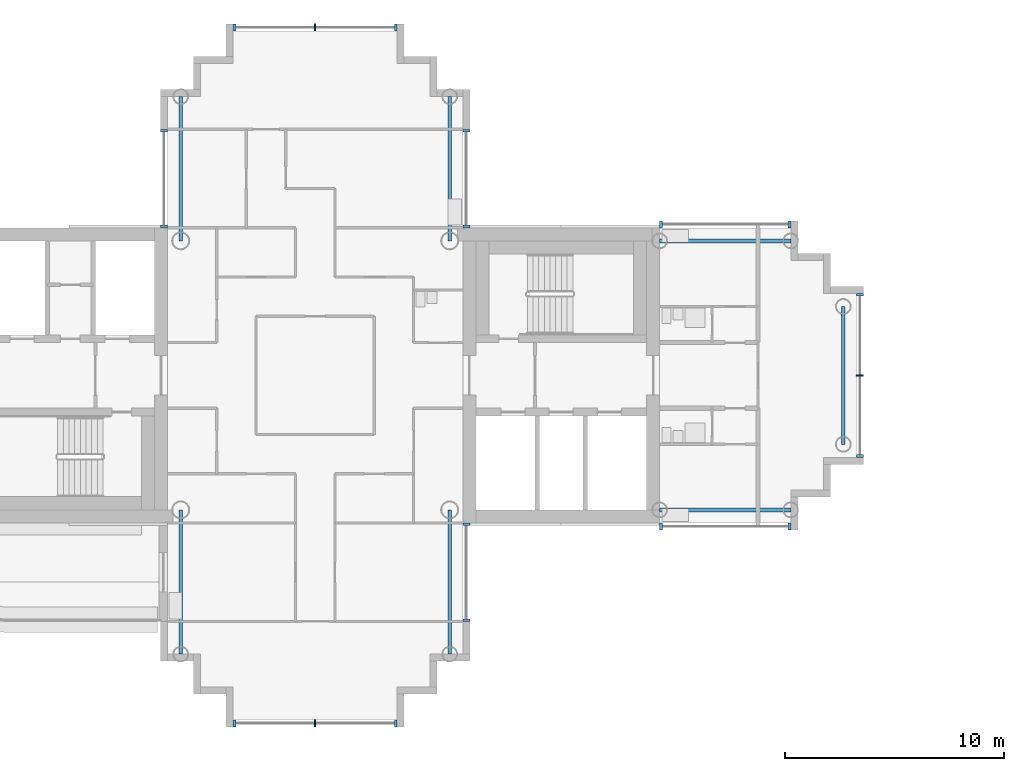
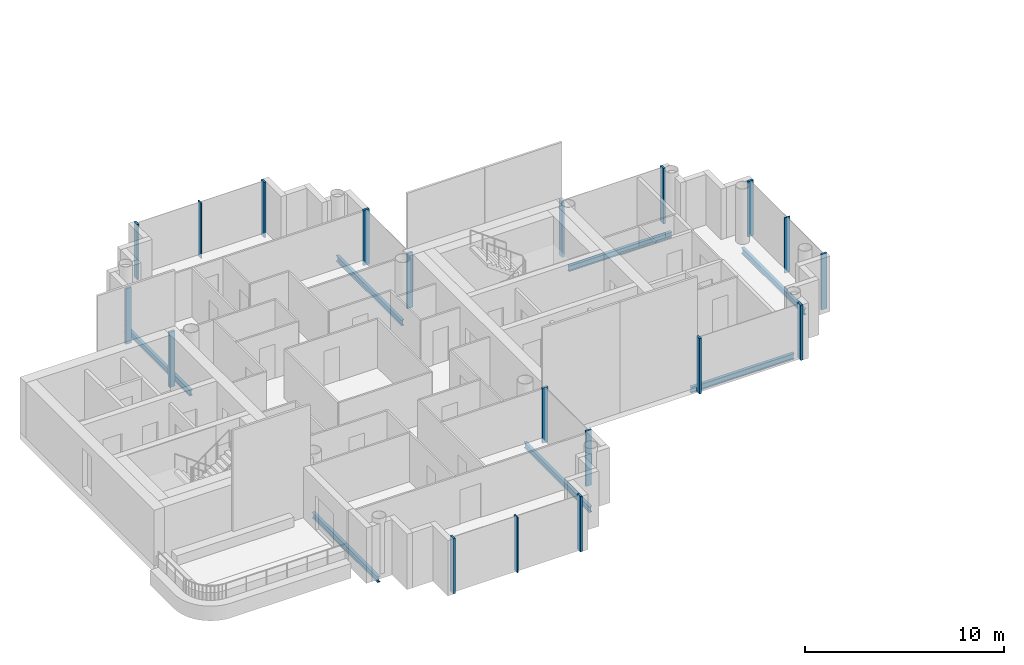
# One storey, part 3 of 18: 19 members, 7 beams, 8 elements without a shape of their own.
"""IFC4 building model written with IfcOpenShell, lengths in metres."""

from ifc_helpers import new_model, si_unit, direction, frame, origin, origin_2d, place, context, subcontext, project, spatial, rectangle, i_section, extrude, material, layer, layer_set, material_profile, profile_set, type_object, element, aggregate, save


model = new_model("IFC4")

# Units and contexts
model_context = context("Model", 3, precision=1e-05, world=origin(), true_north=direction((0.0, 1.0)))
body_context = subcontext(model_context, "Body", "Model", "MODEL_VIEW")
ifc_project = project(units=[si_unit("LENGTHUNIT", "METRE"), si_unit("AREAUNIT", "SQUARE_METRE"), si_unit("VOLUMEUNIT", "CUBIC_METRE"), si_unit("PLANEANGLEUNIT", "RADIAN"), si_unit("MASSUNIT", "GRAM", prefix="KILO")], contexts=[model_context])

# Site, building, storey
site_placement = place(None, origin())
site = spatial("IfcSite", under=ifc_project, at=site_placement, CompositionType="ELEMENT")
building_placement = place(site_placement, origin())
building = spatial("IfcBuilding", under=site, at=building_placement, Name="Ipe Terrace Towers", CompositionType="ELEMENT")
storey_placement = place(building_placement, frame((0.0, 0.0, 192.60009765625)))
storey = spatial("IfcBuildingStorey", under=building, at=storey_placement, Name="L53", CompositionType="ELEMENT", Elevation=192.60009765625)

# Beams
ifc_material_1 = material(Name="Steel S355", Category="steel")
ifc_material_profile_1 = material_profile(ifc_material_1, i_section(OverallWidth=0.175048828125, OverallDepth=0.35009765625, WebThickness=0.007080078125, FlangeThickness=0.010986328125, at=origin_2d()), Name="H-350x175x7x11")
ifc_profile_set_1 = profile_set([ifc_material_profile_1], Name="Steel S355")
beam_type = type_object("IfcBeamType", Name="H04 EDGE BEAM H-350x175x7x11", PredefinedType="BEAM", material=ifc_profile_set_1)
for number, where, z_axis, x_axis, name in (
    (1, (-20.25, -6.14990234375, -0.5751953125), (1.0, 0.0, 0.0), (0.0, 1.0, 0.0), "Edge beam T1-EB-A01-A03"),
    (2, (-20.25, 6.14990234375, -0.5751953125), (1.0, 0.0, 0.0), (0.0, 1.0, 0.0), "Edge beam T1-EB-A02-A04"),
):
    element("IfcBeam", number, at=place(storey_placement, frame(where, z_axis=z_axis, x_axis=x_axis)), inside=storey, type_object=beam_type, Name=name, PredefinedType="BEAM", context=body_context, shape_type="SweptSolid", body=[
        extrude(i_section(OverallWidth=0.175048828125, OverallDepth=0.35009765625, WebThickness=0.007080078125, FlangeThickness=0.010986328125, at=origin_2d()), origin(), (0.0, 0.0, 1.0), 6.0),
    ])
beam_placement = place(storey_placement, frame((-11.85009765625, -3.14990234375, -0.5751953125), z_axis=(0.0, 1.0, 0.0), x_axis=(-1.0, 0.0, 0.0)))
element("IfcBeam", 3, at=beam_placement, inside=storey, type_object=beam_type, Name="Edge beam T1-EB-A05-A06", PredefinedType="BEAM", context=body_context, shape_type="SweptSolid", body=[
    extrude(i_section(OverallWidth=0.175048828125, OverallDepth=0.35009765625, WebThickness=0.007080078125, FlangeThickness=0.010986328125, at=origin_2d()), origin(), (0.0, 0.0, 1.0), 6.2998046875),
])
for number, where, z_axis, x_axis, name in (
    (4, (-29.85009765625, 12.75, -0.5751953125), (0.0, -1.0, 0.0), (1.0, 0.0, 0.0), "Edge beam T1-EB-B01-E03"),
    (5, (-42.14990234375, 12.75, -0.5751953125), (0.0, -1.0, 0.0), (1.0, 0.0, 0.0), "Edge beam T1-EB-B02-E04"),
    (6, (-42.14990234375, -12.75, -0.5751953125), (0.0, 1.0, 0.0), (-1.0, 0.0, 0.0), "Edge beam T1-EB-D01-E01"),
    (7, (-29.85009765625, -12.75, -0.5751953125), (0.0, 1.0, 0.0), (-1.0, 0.0, 0.0), "Edge beam T1-EB-D02-E02"),
):
    element("IfcBeam", number, at=place(storey_placement, frame(where, z_axis=z_axis, x_axis=x_axis)), inside=storey, type_object=beam_type, Name=name, PredefinedType="BEAM", context=body_context, shape_type="SweptSolid", body=[
        extrude(i_section(OverallWidth=0.175048828125, OverallDepth=0.35009765625, WebThickness=0.007080078125, FlangeThickness=0.010986328125, at=origin_2d()), origin(), (0.0, 0.0, 1.0), 6.60009765625),
    ])

# Curtain wall, members
ifc_material_2 = material(Name="Aluminium alloy 6063-T6", Category="aluminium")
ifc_layer = layer(ifc_material_2, 0.320068359375)
ifc_layer_set = layer_set([ifc_layer], Name="TOWER UNITISED CURTAIN WALL")
curtain_wall_type = type_object("IfcCurtainWallType", Name="TOWER UNITISED CURTAIN WALL", PredefinedType="NOTDEFINED", material=ifc_layer_set)
curtain_wall_1_placement = place(storey_placement, origin())
curtain_wall_1 = element("IfcCurtainWall", 8, at=curtain_wall_1_placement, inside=storey, type_object=curtain_wall_type, Name="T1-CW-L53-08a curtain wall", PredefinedType="NOTDEFINED")
ifc_material_3 = material(Name="Aluminium alloy 6063-T6", Category="aluminium")
ifc_material_profile_2 = material_profile(ifc_material_3, rectangle(XDim=0.320068359375, YDim=0.1201171875, at=origin_2d()), Name="TOWER UNITISED CORNER MULLION 320 x 120")
ifc_profile_set_2 = profile_set([ifc_material_profile_2], Name="Aluminium alloy 6063-T6")
member_type_1 = type_object("IfcMemberType", Name="TOWER UNITISED CORNER MULLION 320 x 120", PredefinedType="MULLION", material=ifc_profile_set_2)
member_1_placement = place(storey_placement, frame((-39.68994140625, -15.909912109375, -0.300048828125), z_axis=(0.0, 0.0, 1.0), x_axis=(0.0, -1.0, 0.0)))
member_1 = element("IfcMember", 9, at=member_1_placement, type_object=member_type_1, Name="T1-CW-L53-08a mullion 1", PredefinedType="MULLION", context=body_context, shape_type="SweptSolid", body=[
    extrude(rectangle(XDim=0.320068359375, YDim=0.1201171875, at=origin_2d()), origin(), (0.0, 0.0, 1.0), 3.39990234375),
])
member_2_placement = place(storey_placement, frame((-32.31005859375, -15.909912109375, -0.300048828125), z_axis=(0.0, 0.0, 1.0), x_axis=(0.0, -1.0, 0.0)))
member_2 = element("IfcMember", 10, at=member_2_placement, type_object=member_type_1, Name="T1-CW-L53-08a mullion 3", PredefinedType="MULLION", context=body_context, shape_type="SweptSolid", body=[
    extrude(rectangle(XDim=0.320068359375, YDim=0.1201171875, at=origin_2d()), origin(), (0.0, 0.0, 1.0), 3.39990234375),
])

curtain_wall_2_placement = place(storey_placement, origin())
curtain_wall_2 = element("IfcCurtainWall", 11, at=curtain_wall_2_placement, inside=storey, type_object=curtain_wall_type, Name="T1-CW-L53-14a curtain wall", PredefinedType="NOTDEFINED")
member_3_placement = place(storey_placement, frame((-29.090087890625, -11.18994140625, -0.300048828125), z_axis=(0.0, 0.0, 1.0), x_axis=(1.0, 0.0, 0.0)))
member_3 = element("IfcMember", 12, at=member_3_placement, type_object=member_type_1, Name="T1-CW-L53-14a mullion 1", PredefinedType="MULLION", context=body_context, shape_type="SweptSolid", body=[
    extrude(rectangle(XDim=0.320068359375, YDim=0.1201171875, at=origin_2d()), origin(), (0.0, 0.0, 1.0), 3.39990234375),
])
member_4_placement = place(storey_placement, frame((-29.090087890625, -6.81005859375, -0.300048828125), z_axis=(0.0, 0.0, 1.0), x_axis=(1.0, 0.0, 0.0)))
member_4 = element("IfcMember", 13, at=member_4_placement, type_object=member_type_1, Name="T1-CW-L53-14a mullion 2", PredefinedType="MULLION", context=body_context, shape_type="SweptSolid", body=[
    extrude(rectangle(XDim=0.320068359375, YDim=0.1201171875, at=origin_2d()), origin(), (0.0, 0.0, 1.0), 3.39990234375),
])
aggregate(curtain_wall_2, [member_3, member_4])

curtain_wall_3_placement = place(storey_placement, origin())
curtain_wall_3 = element("IfcCurtainWall", 14, at=curtain_wall_3_placement, inside=storey, type_object=curtain_wall_type, Name="T1-CW-L53-16b curtain wall", PredefinedType="NOTDEFINED")
member_5_placement = place(storey_placement, frame((-20.18896484375, -6.909912109375, -0.300048828125), z_axis=(0.0, 0.0, 1.0), x_axis=(0.0, -1.0, 0.0)))
member_5 = element("IfcMember", 15, at=member_5_placement, type_object=member_type_1, Name="T1-CW-L53-16b mullion 1", PredefinedType="MULLION", context=body_context, shape_type="SweptSolid", body=[
    extrude(rectangle(XDim=0.320068359375, YDim=0.1201171875, at=origin_2d()), origin(), (0.0, 0.0, 1.0), 3.39990234375),
])
member_6_placement = place(storey_placement, frame((-14.31005859375, -6.909912109375, -0.300048828125), z_axis=(0.0, 0.0, 1.0), x_axis=(0.0, -1.0, 0.0)))
member_6 = element("IfcMember", 16, at=member_6_placement, type_object=member_type_1, Name="T1-CW-L53-16b mullion 2", PredefinedType="MULLION", context=body_context, shape_type="SweptSolid", body=[
    extrude(rectangle(XDim=0.320068359375, YDim=0.1201171875, at=origin_2d()), origin(), (0.0, 0.0, 1.0), 3.39990234375),
])
aggregate(curtain_wall_3, [member_5, member_6])

curtain_wall_4_placement = place(storey_placement, origin())
curtain_wall_4 = element("IfcCurtainWall", 17, at=curtain_wall_4_placement, inside=storey, type_object=curtain_wall_type, Name="T1-CW-L53-21a curtain wall", PredefinedType="NOTDEFINED")
member_7_placement = place(storey_placement, frame((-11.090087890625, -3.68994140625, -0.300048828125), z_axis=(0.0, 0.0, 1.0), x_axis=(1.0, 0.0, 0.0)))
member_7 = element("IfcMember", 18, at=member_7_placement, type_object=member_type_1, Name="T1-CW-L53-21a mullion 1", PredefinedType="MULLION", context=body_context, shape_type="SweptSolid", body=[
    extrude(rectangle(XDim=0.320068359375, YDim=0.1201171875, at=origin_2d()), origin(), (0.0, 0.0, 1.0), 3.39990234375),
])
member_8_placement = place(storey_placement, frame((-11.090087890625, 3.68994140625, -0.300048828125), z_axis=(0.0, 0.0, 1.0), x_axis=(1.0, 0.0, 0.0)))
member_8 = element("IfcMember", 19, at=member_8_placement, type_object=member_type_1, Name="T1-CW-L53-21a mullion 3", PredefinedType="MULLION", context=body_context, shape_type="SweptSolid", body=[
    extrude(rectangle(XDim=0.320068359375, YDim=0.1201171875, at=origin_2d()), origin(), (0.0, 0.0, 1.0), 3.39990234375),
])

curtain_wall_5_placement = place(storey_placement, origin())
curtain_wall_5 = element("IfcCurtainWall", 20, at=curtain_wall_5_placement, inside=storey, type_object=curtain_wall_type, Name="T1-CW-L53-26a curtain wall", PredefinedType="NOTDEFINED")
member_9_placement = place(storey_placement, frame((-14.31005859375, 6.909912109375, -0.300048828125), z_axis=(0.0, 0.0, 1.0), x_axis=(0.0, 1.0, 0.0)))
member_9 = element("IfcMember", 21, at=member_9_placement, type_object=member_type_1, Name="T1-CW-L53-26a mullion 1", PredefinedType="MULLION", context=body_context, shape_type="SweptSolid", body=[
    extrude(rectangle(XDim=0.320068359375, YDim=0.1201171875, at=origin_2d()), origin(), (0.0, 0.0, 1.0), 3.39990234375),
])
member_10_placement = place(storey_placement, frame((-20.18896484375, 6.909912109375, -0.300048828125), z_axis=(0.0, 0.0, 1.0), x_axis=(0.0, 1.0, 0.0)))
member_10 = element("IfcMember", 22, at=member_10_placement, type_object=member_type_1, Name="T1-CW-L53-26a mullion 2", PredefinedType="MULLION", context=body_context, shape_type="SweptSolid", body=[
    extrude(rectangle(XDim=0.320068359375, YDim=0.1201171875, at=origin_2d()), origin(), (0.0, 0.0, 1.0), 3.39990234375),
])
aggregate(curtain_wall_5, [member_9, member_10])

curtain_wall_6_placement = place(storey_placement, origin())
curtain_wall_6 = element("IfcCurtainWall", 23, at=curtain_wall_6_placement, inside=storey, type_object=curtain_wall_type, Name="T1-CW-L53-28a curtain wall", PredefinedType="NOTDEFINED")
member_11_placement = place(storey_placement, frame((-29.090087890625, 6.81005859375, -0.300048828125), z_axis=(0.0, 0.0, 1.0), x_axis=(1.0, 0.0, 0.0)))
member_11 = element("IfcMember", 24, at=member_11_placement, type_object=member_type_1, Name="T1-CW-L53-28a mullion 1", PredefinedType="MULLION", context=body_context, shape_type="SweptSolid", body=[
    extrude(rectangle(XDim=0.320068359375, YDim=0.1201171875, at=origin_2d()), origin(), (0.0, 0.0, 1.0), 3.39990234375),
])
member_12_placement = place(storey_placement, frame((-29.090087890625, 11.18994140625, -0.300048828125), z_axis=(0.0, 0.0, 1.0), x_axis=(1.0, 0.0, 0.0)))
member_12 = element("IfcMember", 25, at=member_12_placement, type_object=member_type_1, Name="T1-CW-L53-28a mullion 2", PredefinedType="MULLION", context=body_context, shape_type="SweptSolid", body=[
    extrude(rectangle(XDim=0.320068359375, YDim=0.1201171875, at=origin_2d()), origin(), (0.0, 0.0, 1.0), 3.39990234375),
])
aggregate(curtain_wall_6, [member_11, member_12])

curtain_wall_7_placement = place(storey_placement, origin())
curtain_wall_7 = element("IfcCurtainWall", 26, at=curtain_wall_7_placement, inside=storey, type_object=curtain_wall_type, Name="T1-CW-L53-34a curtain wall", PredefinedType="NOTDEFINED")
member_13_placement = place(storey_placement, frame((-32.31005859375, 15.909912109375, -0.300048828125), z_axis=(0.0, 0.0, 1.0), x_axis=(0.0, 1.0, 0.0)))
member_13 = element("IfcMember", 27, at=member_13_placement, type_object=member_type_1, Name="T1-CW-L53-34a mullion 1", PredefinedType="MULLION", context=body_context, shape_type="SweptSolid", body=[
    extrude(rectangle(XDim=0.320068359375, YDim=0.1201171875, at=origin_2d()), origin(), (0.0, 0.0, 1.0), 3.39990234375),
])
member_14_placement = place(storey_placement, frame((-39.68994140625, 15.909912109375, -0.300048828125), z_axis=(0.0, 0.0, 1.0), x_axis=(0.0, 1.0, 0.0)))
member_14 = element("IfcMember", 28, at=member_14_placement, type_object=member_type_1, Name="T1-CW-L53-34a mullion 3", PredefinedType="MULLION", context=body_context, shape_type="SweptSolid", body=[
    extrude(rectangle(XDim=0.320068359375, YDim=0.1201171875, at=origin_2d()), origin(), (0.0, 0.0, 1.0), 3.39990234375),
])

curtain_wall_8_placement = place(storey_placement, origin())
curtain_wall_8 = element("IfcCurtainWall", 29, at=curtain_wall_8_placement, inside=storey, type_object=curtain_wall_type, Name="T1-CW-L53-40a curtain wall", PredefinedType="NOTDEFINED")
member_15_placement = place(storey_placement, frame((-42.909912109375, 11.18994140625, -0.300048828125), z_axis=(0.0, 0.0, 1.0), x_axis=(-1.0, 0.0, 0.0)))
member_15 = element("IfcMember", 30, at=member_15_placement, type_object=member_type_1, Name="T1-CW-L53-40a mullion 1", PredefinedType="MULLION", context=body_context, shape_type="SweptSolid", body=[
    extrude(rectangle(XDim=0.320068359375, YDim=0.1201171875, at=origin_2d()), origin(), (0.0, 0.0, 1.0), 3.39990234375),
])
member_16_placement = place(storey_placement, frame((-42.909912109375, 6.81005859375, -0.300048828125), z_axis=(0.0, 0.0, 1.0), x_axis=(-1.0, 0.0, 0.0)))
member_16 = element("IfcMember", 31, at=member_16_placement, type_object=member_type_1, Name="T1-CW-L53-40a mullion 2", PredefinedType="MULLION", context=body_context, shape_type="SweptSolid", body=[
    extrude(rectangle(XDim=0.320068359375, YDim=0.1201171875, at=origin_2d()), origin(), (0.0, 0.0, 1.0), 3.39990234375),
])
aggregate(curtain_wall_8, [member_15, member_16])

# Member
ifc_material_4 = material(Name="Aluminium alloy 6063-T6", Category="aluminium")
ifc_material_profile_3 = material_profile(ifc_material_4, rectangle(XDim=0.320068359375, YDim=0.06494140625, at=origin_2d()), Name="TOWER UNITISED MULLION 320 x 65")
ifc_profile_set_3 = profile_set([ifc_material_profile_3], Name="Aluminium alloy 6063-T6")
member_type_2 = type_object("IfcMemberType", Name="TOWER UNITISED MULLION 320 x 65", PredefinedType="MULLION", material=ifc_profile_set_3)
member_17_placement = place(storey_placement, frame((-36.0, -15.909912109375, -0.300048828125), z_axis=(0.0, 0.0, 1.0), x_axis=(0.0, -1.0, 0.0)))
member_17 = element("IfcMember", 32, at=member_17_placement, type_object=member_type_2, Name="T1-CW-L53-08a mullion 2", PredefinedType="MULLION", context=body_context, shape_type="SweptSolid", body=[
    extrude(rectangle(XDim=0.320068359375, YDim=0.06494140625, at=origin_2d()), origin(), (0.0, 0.0, 1.0), 3.39990234375),
])

aggregate(curtain_wall_1, [member_1, member_17, member_2])

member_18_placement = place(storey_placement, frame((-11.090087890625, 0.0, -0.300048828125), z_axis=(0.0, 0.0, 1.0), x_axis=(1.0, 0.0, 0.0)))
member_18 = element("IfcMember", 33, at=member_18_placement, type_object=member_type_2, Name="T1-CW-L53-21a mullion 2", PredefinedType="MULLION", context=body_context, shape_type="SweptSolid", body=[
    extrude(rectangle(XDim=0.320068359375, YDim=0.06494140625, at=origin_2d()), origin(), (0.0, 0.0, 1.0), 3.39990234375),
])

aggregate(curtain_wall_4, [member_7, member_18, member_8])

member_19_placement = place(storey_placement, frame((-36.0, 15.909912109375, -0.300048828125), z_axis=(0.0, 0.0, 1.0), x_axis=(0.0, 1.0, 0.0)))
member_19 = element("IfcMember", 34, at=member_19_placement, type_object=member_type_2, Name="T1-CW-L53-34a mullion 2", PredefinedType="MULLION", context=body_context, shape_type="SweptSolid", body=[
    extrude(rectangle(XDim=0.320068359375, YDim=0.06494140625, at=origin_2d()), origin(), (0.0, 0.0, 1.0), 3.39990234375),
])

aggregate(curtain_wall_7, [member_13, member_19, member_14])

save(model, "model.ifc")
